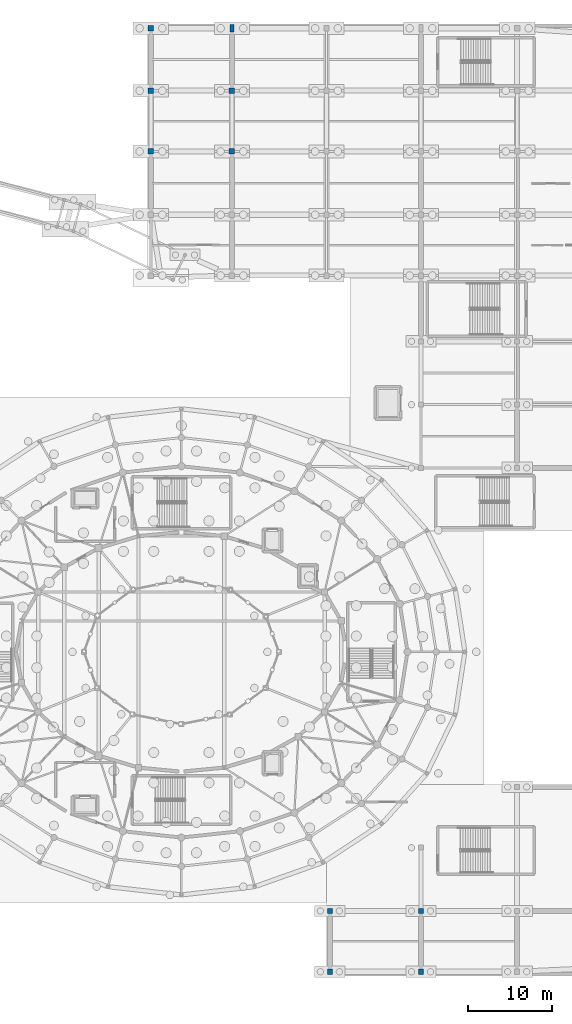
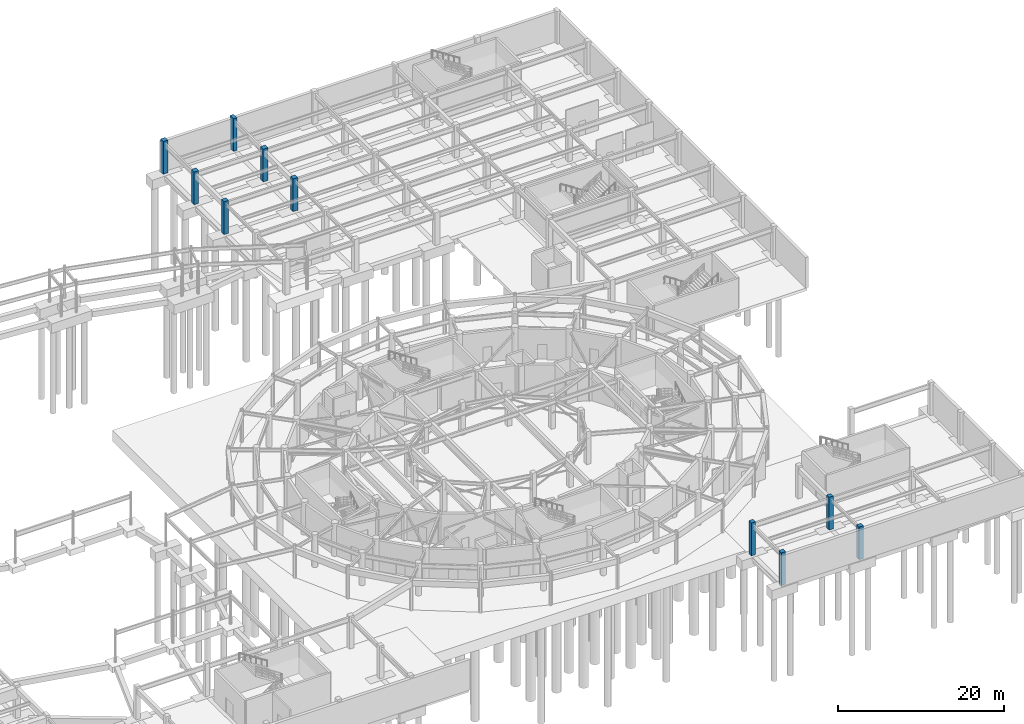
# One storey, part 23 of 68: 10 columns.
"""IFC4 building model written with IfcOpenShell, lengths in metres."""

from ifc_helpers import new_model, si_unit, direction, frame, origin, origin_2d, place, context, subcontext, project, spatial, rectangle, extrude, material, material_profile, profile_set, type_object, element, save


model = new_model("IFC4")

# Units and contexts
model_context = context("Model", 3, precision=1e-05, world=origin(), true_north=direction((0.0, 1.0)))
body_context = subcontext(model_context, "Body", "Model", "MODEL_VIEW")
ifc_project = project(units=[si_unit("LENGTHUNIT", "METRE"), si_unit("AREAUNIT", "SQUARE_METRE"), si_unit("VOLUMEUNIT", "CUBIC_METRE"), si_unit("PLANEANGLEUNIT", "RADIAN"), si_unit("MASSUNIT", "GRAM", prefix="KILO")], contexts=[model_context])

# Site, building, storey
site_placement = place(None, origin())
site = spatial("IfcSite", under=ifc_project, at=site_placement, CompositionType="ELEMENT")
building_placement = place(site_placement, origin())
building = spatial("IfcBuilding", under=site, at=building_placement, Name="Cinderbank Siding Concert Hall", CompositionType="ELEMENT")
storey_placement = place(building_placement, frame((0.0, 0.0, -4.800048828125)))
storey = spatial("IfcBuildingStorey", under=building, at=storey_placement, Name="B1", CompositionType="ELEMENT", Elevation=-4.800048828125)

# Columns
ifc_material = material(Name="Reinforced concrete AS 3600 N50 (50 MPa)", Category="concrete")
ifc_material_profile_1 = material_profile(ifc_material, rectangle(XDim=0.60009765625, YDim=0.60009765625, at=origin_2d()), Name="RC-COL-600x600", Category="LoadBearing")
ifc_profile_set_1 = profile_set([ifc_material_profile_1], Name="Reinforced concrete AS 3600 N50 (50 MPa)")
column_type_1 = type_object("IfcColumnType", Name="C-RC600 RC-COL-600x600", PredefinedType="COLUMN", material=ifc_profile_set_1)
for number, where, z_axis, x_axis, name in (
    (1, (139.60009765625, 6.10009765625, 0.0), (0.0, 0.0, 1.0), (1.0, 0.0, 0.0), "B1 Column COL-SE-1-1"),
    (2, (139.60009765625, 13.300048828125, 0.0), (0.0, 0.0, 1.0), (1.0, 0.0, 0.0), "B1 Column COL-SE-1-2"),
    (3, (150.39990234375, 6.10009765625, 0.0), (0.0, 0.0, 1.0), (1.0, 0.0, 0.0), "B1 Column COL-SE-2-1"),
    (4, (150.39990234375, 13.300048828125, 0.0), (0.0, 0.0, 1.0), (1.0, 0.0, 0.0), "B1 Column COL-SE-2-2"),
):
    element("IfcColumn", number, at=place(storey_placement, frame(where, z_axis=z_axis, x_axis=x_axis)), inside=storey, type_object=column_type_1, Name=name, PredefinedType="COLUMN", context=body_context, shape_type="SweptSolid", body=[
        extrude(rectangle(XDim=0.60009765625, YDim=0.60009765625, at=origin_2d()), origin(), (0.0, 0.0, 1.0), 4.800048828125),
    ])
ifc_material_profile_2 = material_profile(ifc_material, rectangle(XDim=0.64990234375, YDim=0.64990234375, at=origin_2d()), Name="RC-COL-650x650", Category="LoadBearing")
ifc_profile_set_2 = profile_set([ifc_material_profile_2], Name="Reinforced concrete AS 3600 N50 (50 MPa)")
column_type_2 = type_object("IfcColumnType", Name="C-RC650 RC-COL-650x650", PredefinedType="COLUMN", material=ifc_profile_set_2)
for number, where, z_axis, x_axis, name in (
    (5, (118.39990234375, 103.300048828125, 0.0), (0.0, 0.0, 1.0), (1.0, 0.0, 0.0), "B1 Column COL-V3-1-3"),
    (6, (118.39990234375, 110.5, 0.0), (0.0, 0.0, 1.0), (1.0, 0.0, 0.0), "B1 Column COL-V3-1-4"),
    (7, (118.39990234375, 117.89990234375, 0.0), (0.0, 0.0, 1.0), (1.0, 0.0, 0.0), "B1 Column COL-V3-1-5"),
    (8, (128.0, 103.300048828125, 0.0), (0.0, 0.0, 1.0), (1.0, 0.0, 0.0), "B1 Column COL-V3-2-3"),
    (9, (128.0, 110.5, 0.0), (0.0, 0.0, 1.0), (1.0, 0.0, 0.0), "B1 Column COL-V3-2-4"),
):
    element("IfcColumn", number, at=place(storey_placement, frame(where, z_axis=z_axis, x_axis=x_axis)), inside=storey, type_object=column_type_2, Name=name, PredefinedType="COLUMN", context=body_context, shape_type="SweptSolid", body=[
        extrude(rectangle(XDim=0.64990234375, YDim=0.64990234375, at=origin_2d()), origin(), (0.0, 0.0, 1.0), 4.800048828125),
    ])
ifc_material_profile_3 = material_profile(ifc_material, rectangle(XDim=0.449951171875, YDim=0.85009765625, at=origin_2d()), Name="RC-PIER-450x850", Category="LoadBearing")
ifc_profile_set_3 = profile_set([ifc_material_profile_3], Name="Reinforced concrete AS 3600 N50 (50 MPa)")
column_type_3 = type_object("IfcColumnType", Name="PL-RC850 RC-PIER-450x850", PredefinedType="PILASTER", material=ifc_profile_set_3)
column_placement = place(storey_placement, frame((128.0, 117.89990234375, 0.0), z_axis=(0.0, 0.0, 1.0), x_axis=(1.0, 0.0, 0.0)))
element("IfcColumn", 10, at=column_placement, inside=storey, type_object=column_type_3, Name="B1 Column COL-V3-2-5", PredefinedType="PILASTER", context=body_context, shape_type="SweptSolid", body=[
    extrude(rectangle(XDim=0.449951171875, YDim=0.85009765625, at=origin_2d()), origin(), (0.0, 0.0, 1.0), 4.800048828125),
])

save(model, "model.ifc")
